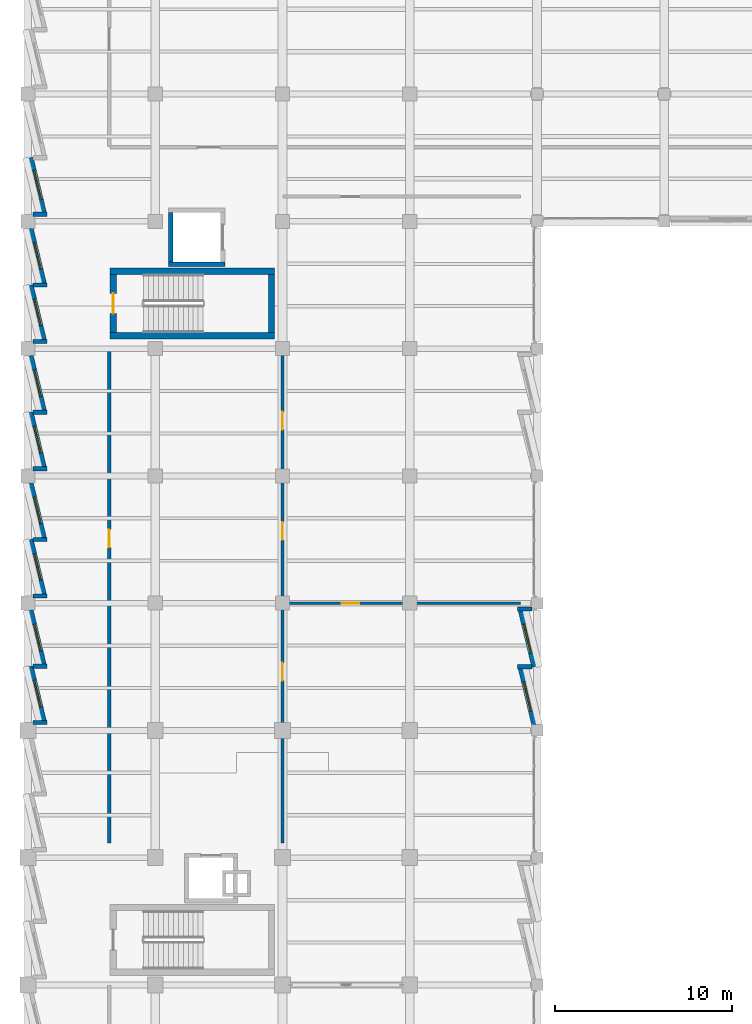
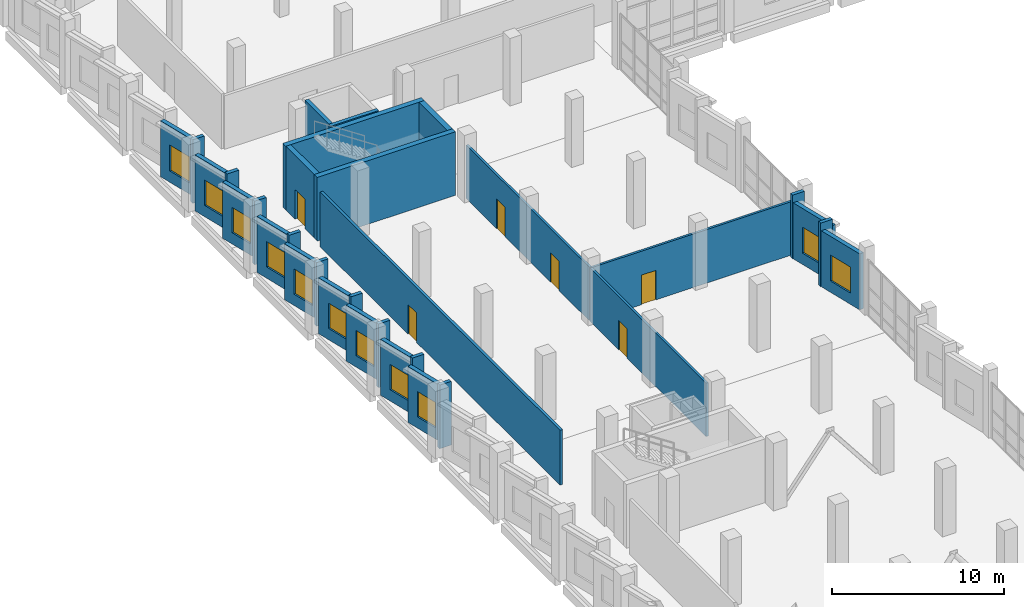
# One storey, part 96 of 127: 32 walls, 11 windows, 6 doors, 17 openings.
"""IFC4 building model written with IfcOpenShell, lengths in metres."""

from ifc_helpers import new_model, si_unit, direction, frame, frame_2d, origin, place, context, subcontext, project, spatial, rectangle, extrude, material, layer, layer_set, type_object, element, fill, save


model = new_model("IFC4")

# Units and contexts
model_context = context("Model", 3, precision=1e-05, world=origin(), true_north=direction((0.0, 1.0)))
body_context = subcontext(model_context, "Body", "Model", "MODEL_VIEW")
ifc_project = project(units=[si_unit("LENGTHUNIT", "METRE"), si_unit("AREAUNIT", "SQUARE_METRE"), si_unit("VOLUMEUNIT", "CUBIC_METRE"), si_unit("PLANEANGLEUNIT", "RADIAN"), si_unit("MASSUNIT", "GRAM", prefix="KILO")], contexts=[model_context])

# Site, building, storey
site_placement = place(None, origin())
site = spatial("IfcSite", under=ifc_project, at=site_placement, CompositionType="ELEMENT")
building_placement = place(site_placement, origin())
building = spatial("IfcBuilding", under=site, at=building_placement, Name="Kalmorath City Hall", CompositionType="ELEMENT")
storey_placement = place(building_placement, frame((0.0, 0.0, 5.39990234375)))
storey = spatial("IfcBuildingStorey", under=building, at=storey_placement, Name="L01", CompositionType="ELEMENT", Elevation=5.39990234375)

# Walls
ifc_material_1 = material(Name="Concrete C50/60", Category="concrete")
ifc_layer_1 = layer(ifc_material_1, 0.35009765625)
ifc_layer_set_1 = layer_set([ifc_layer_1], Name="Concrete C50/60")
wall_type_1 = type_object("IfcWallType", Name="Concrete core shear wall 350", PredefinedType="SHEAR", material=ifc_layer_set_1)
for number, where, z_axis, x_axis, name in (
    (1, (4.64990234375, 87.125, 0.0), (0.0, 0.0, 1.0), (1.0, 0.0, 0.0), "L01 C4 stair core shear wall S"),
    (2, (13.949951171875, 90.77490234375, 0.0), (0.0, 0.0, 1.0), (-1.0, 0.0, 0.0), "L01 C4 stair core shear wall N"),
):
    element("IfcWall", number, at=place(storey_placement, frame(where, z_axis=z_axis, x_axis=x_axis)), inside=storey, type_object=wall_type_1, Name=name, PredefinedType="SHEAR", context=body_context, shape_type="SweptSolid", body=[
        extrude(rectangle(XDim=9.300048828125, YDim=0.35009765625, at=frame_2d((4.64990234375, 0.0))), origin(), (0.0, 0.0, 1.0), 4.52001953125),
    ])

# Wall, opening, door
wall_1_placement = place(storey_placement, frame((4.824951171875, 90.60009765625, 0.0), z_axis=(0.0, 0.0, 1.0), x_axis=(0.0, -1.0, 0.0)))
wall_1 = element("IfcWall", 3, at=wall_1_placement, inside=storey, type_object=wall_type_1, Name="L01 C4 stair core shear wall W", PredefinedType="SHEAR", context=body_context, shape_type="SweptSolid", body=[
    extrude(rectangle(XDim=3.300048828125, YDim=0.35009765625, at=frame_2d((1.64990234375, 0.0))), origin(), (0.0, 0.0, 1.0), 4.52001953125),
])
opening_1_placement = place(wall_1_placement, frame((1.074951171875, 0.0, 0.0)))
opening_1 = element("IfcOpeningElement", 4, at=opening_1_placement, cuts=wall_1, Name="Opening D-L01-081", PredefinedType="OPENING", context=body_context, shape_type="SweptSolid", body=[
    extrude(rectangle(XDim=1.14990234375, YDim=2.10009765625, at=frame_2d((0.574951171875, 1.050048828125))), frame((0.0, 0.18505859375, 0.0), z_axis=(0.0, -1.0, 0.0), x_axis=(1.0, 0.0, 0.0)), (0.0, 0.0, 1.0), 0.3701171875),
])
ifc_material_2 = material(Name="Galvanised steel fire door", Category="steel")
door_type_1 = type_object("IfcDoorType", Name="Stair enclosure 90-min fire door 1150x2100", OperationType="NOTDEFINED", PredefinedType="DOOR", material=ifc_material_2)
door_1_placement = place(opening_1_placement, frame((1.14990234375, 0.0, 0.0), z_axis=(0.0, 0.0, 1.0), x_axis=(-1.0, 0.0, 0.0)))
door_1 = element("IfcDoor", 5, at=door_1_placement, inside=storey, type_object=door_type_1, Name="L01 door D-L01-081", OperationType="SINGLE_SWING_LEFT", OverallHeight=2.10009765625, OverallWidth=1.14990234375, PredefinedType="DOOR", context=body_context, shape_type="SweptSolid", body=[
    extrude(rectangle(XDim=1.14990234375, YDim=2.10009765625, at=frame_2d((0.574951171875, 1.050048828125))), frame((0.0, 0.02490234375, 0.0), z_axis=(0.0, -1.0, 0.0), x_axis=(1.0, 0.0, 0.0)), (0.0, 0.0, 1.0), 0.050048828125),
])
fill(opening_1, door_1)

# Walls
wall_2_placement = place(storey_placement, frame((13.77490234375, 87.300048828125, 0.0), z_axis=(0.0, 0.0, 1.0), x_axis=(0.0, 1.0, 0.0)))
element("IfcWall", 6, at=wall_2_placement, inside=storey, type_object=wall_type_1, Name="L01 C4 stair core shear wall E", PredefinedType="SHEAR", context=body_context, shape_type="SweptSolid", body=[
    extrude(rectangle(XDim=3.300048828125, YDim=0.35009765625, at=frame_2d((1.64990234375, 0.0))), origin(), (0.0, 0.0, 1.0), 4.52001953125),
])
ifc_material_3 = material(Name="Concrete C50/60", Category="concrete")
ifc_layer_2 = layer(ifc_material_3, 0.25)
ifc_layer_set_2 = layer_set([ifc_layer_2], Name="Concrete C50/60")
wall_type_2 = type_object("IfcWallType", Name="Concrete lift shaft wall 250", PredefinedType="SHEAR", material=ifc_layer_set_2)
wall_3_placement = place(storey_placement, frame((7.949951171875, 91.175048828125, 0.0), z_axis=(0.0, 0.0, 1.0), x_axis=(1.0, 0.0, 0.0)))
element("IfcWall", 7, at=wall_3_placement, inside=storey, type_object=wall_type_2, Name="L01 SL1 lift shaft wall -y", PredefinedType="SHEAR", context=body_context, shape_type="SweptSolid", body=[
    extrude(rectangle(XDim=3.199951171875, YDim=0.25, at=frame_2d((1.60009765625, 0.0))), origin(), (0.0, 0.0, 1.0), 4.52001953125),
])
wall_4_placement = place(storey_placement, frame((8.074951171875, 94.10009765625, 0.0), z_axis=(0.0, 0.0, 1.0), x_axis=(0.0, -1.0, 0.0)))
element("IfcWall", 8, at=wall_4_placement, inside=storey, type_object=wall_type_2, Name="L01 SL1 lift shaft wall -x", PredefinedType="SHEAR", context=body_context, shape_type="SweptSolid", body=[
    extrude(rectangle(XDim=2.800048828125, YDim=0.25, at=frame_2d((1.39990234375, 0.0))), origin(), (0.0, 0.0, 1.0), 4.52001953125),
])

# Wall, opening, door
ifc_material_4 = material(Name="Acoustic metal-stud gypsum partition")
ifc_layer_3 = layer(ifc_material_4, 0.14990234375)
ifc_layer_set_3 = layer_set([ifc_layer_3], Name="Acoustic metal-stud gypsum partition")
wall_type_3 = type_object("IfcWallType", Name="Departmental suite partition 150", PredefinedType="PARTITIONING", material=ifc_layer_set_3)
wall_5_placement = place(storey_placement, frame((14.39990234375, 58.43994140625, 0.0), z_axis=(0.0, 0.0, 1.0), x_axis=(0.0, 1.0, 0.0)))
wall_5 = element("IfcWall", 9, at=wall_5_placement, inside=storey, type_object=wall_type_3, Name="L01 interior partition PW4 #95", PredefinedType="PARTITIONING", context=body_context, shape_type="SweptSolid", body=[
    extrude(rectangle(XDim=13.52001953125, YDim=0.14990234375, at=frame_2d((6.760009765625, 0.0))), origin(), (0.0, 0.0, 1.0), 3.801025390625),
])
opening_2_placement = place(wall_5_placement, frame((9.179931640625, 0.0, 0.0)))
opening_2 = element("IfcOpeningElement", 10, at=opening_2_placement, cuts=wall_5, Name="Opening D-L01-174", PredefinedType="OPENING", context=body_context, shape_type="SweptSolid", body=[
    extrude(rectangle(XDim=1.0, YDim=2.10009765625, at=frame_2d((0.5, 1.050048828125))), frame((0.0, 0.0849609375, 0.0), z_axis=(0.0, -1.0, 0.0), x_axis=(1.0, 0.0, 0.0)), (0.0, 0.0, 1.0), 0.169921875),
])
ifc_material_5 = material(Name="Hardwood fire door", Category="wood")
door_type_2 = type_object("IfcDoorType", Name="Corridor 60-min fire door 1000x2100", OperationType="NOTDEFINED", PredefinedType="DOOR", material=ifc_material_5)
door_2_placement = place(opening_2_placement, origin())
door_2 = element("IfcDoor", 11, at=door_2_placement, inside=storey, type_object=door_type_2, Name="L01 door D-L01-174", OperationType="SINGLE_SWING_RIGHT", OverallHeight=2.10009765625, OverallWidth=1.0, PredefinedType="DOOR", context=body_context, shape_type="SweptSolid", body=[
    extrude(rectangle(XDim=1.0, YDim=2.10009765625, at=frame_2d((0.5, 1.050048828125))), frame((0.0, 0.02490234375, 0.0), z_axis=(0.0, -1.0, 0.0), x_axis=(1.0, 0.0, 0.0)), (0.0, 0.0, 1.0), 0.050048828125),
])
fill(opening_2, door_2)

wall_6_placement = place(storey_placement, frame((14.43994140625, 72.0, 0.0), z_axis=(0.0, 0.0, 1.0), x_axis=(1.0, 0.0, 0.0)))
wall_6 = element("IfcWall", 12, at=wall_6_placement, inside=storey, type_object=wall_type_3, Name="L01 interior partition PW4 #96", PredefinedType="PARTITIONING", context=body_context, shape_type="SweptSolid", body=[
    extrude(rectangle(XDim=13.420166015625, YDim=0.14990234375, at=frame_2d((6.7099609375, 0.0))), origin(), (0.0, 0.0, 1.0), 3.801025390625),
])
opening_3_placement = place(wall_6_placement, frame((3.31494140625, 0.0, 0.0)))
opening_3 = element("IfcOpeningElement", 13, at=opening_3_placement, cuts=wall_6, Name="Opening D-L01-175", PredefinedType="OPENING", context=body_context, shape_type="SweptSolid", body=[
    extrude(rectangle(XDim=1.0, YDim=2.10009765625, at=frame_2d((0.5, 1.050048828125))), frame((0.0, 0.0849609375, 0.0), z_axis=(0.0, -1.0, 0.0), x_axis=(1.0, 0.0, 0.0)), (0.0, 0.0, 1.0), 0.169921875),
])
door_3_placement = place(opening_3_placement, origin())
door_3 = element("IfcDoor", 14, at=door_3_placement, inside=storey, type_object=door_type_2, Name="L01 door D-L01-175", OperationType="SINGLE_SWING_LEFT", OverallHeight=2.10009765625, OverallWidth=1.0, PredefinedType="DOOR", context=body_context, shape_type="SweptSolid", body=[
    extrude(rectangle(XDim=1.0, YDim=2.10009765625, at=frame_2d((0.5, 1.050048828125))), frame((0.0, 0.02490234375, 0.0), z_axis=(0.0, -1.0, 0.0), x_axis=(1.0, 0.0, 0.0)), (0.0, 0.0, 1.0), 0.050048828125),
])
fill(opening_3, door_3)

# Wall, openings, doors
wall_7_placement = place(storey_placement, frame((14.39990234375, 72.0400390625, 0.0), z_axis=(0.0, 0.0, 1.0), x_axis=(0.0, 1.0, 0.0)))
wall_7 = element("IfcWall", 15, at=wall_7_placement, inside=storey, type_object=wall_type_3, Name="L01 interior partition PW4 #97", PredefinedType="PARTITIONING", context=body_context, shape_type="SweptSolid", body=[
    extrude(rectangle(XDim=14.320068359375, YDim=0.14990234375, at=frame_2d((7.16015625, 0.0))), origin(), (0.0, 0.0, 1.0), 3.801025390625),
])
opening_4_placement = place(wall_7_placement, frame((3.5400390625, 0.0, 0.0)))
opening_4 = element("IfcOpeningElement", 16, at=opening_4_placement, cuts=wall_7, Name="Opening D-L01-177", PredefinedType="OPENING", context=body_context, shape_type="SweptSolid", body=[
    extrude(rectangle(XDim=1.0, YDim=2.10009765625, at=frame_2d((0.5, 1.050048828125))), frame((0.0, 0.0849609375, 0.0), z_axis=(0.0, -1.0, 0.0), x_axis=(1.0, 0.0, 0.0)), (0.0, 0.0, 1.0), 0.169921875),
])
opening_5_placement = place(wall_7_placement, frame((9.780029296875, 0.0, 0.0)))
opening_5 = element("IfcOpeningElement", 17, at=opening_5_placement, cuts=wall_7, Name="Opening D-L01-179", PredefinedType="OPENING", context=body_context, shape_type="SweptSolid", body=[
    extrude(rectangle(XDim=1.0, YDim=2.10009765625, at=frame_2d((0.5, 1.050048828125))), frame((0.0, 0.0849609375, 0.0), z_axis=(0.0, -1.0, 0.0), x_axis=(1.0, 0.0, 0.0)), (0.0, 0.0, 1.0), 0.169921875),
])
door_4_placement = place(opening_4_placement, origin())
door_4 = element("IfcDoor", 18, at=door_4_placement, inside=storey, type_object=door_type_2, Name="L01 door D-L01-177", OperationType="SINGLE_SWING_LEFT", OverallHeight=2.10009765625, OverallWidth=1.0, PredefinedType="DOOR", context=body_context, shape_type="SweptSolid", body=[
    extrude(rectangle(XDim=1.0, YDim=2.10009765625, at=frame_2d((0.5, 1.050048828125))), frame((0.0, 0.02490234375, 0.0), z_axis=(0.0, -1.0, 0.0), x_axis=(1.0, 0.0, 0.0)), (0.0, 0.0, 1.0), 0.050048828125),
])
fill(opening_4, door_4)
door_5_placement = place(opening_5_placement, origin())
door_5 = element("IfcDoor", 19, at=door_5_placement, inside=storey, type_object=door_type_2, Name="L01 door D-L01-179", OperationType="SINGLE_SWING_LEFT", OverallHeight=2.10009765625, OverallWidth=1.0, PredefinedType="DOOR", context=body_context, shape_type="SweptSolid", body=[
    extrude(rectangle(XDim=1.0, YDim=2.10009765625, at=frame_2d((0.5, 1.050048828125))), frame((0.0, 0.02490234375, 0.0), z_axis=(0.0, -1.0, 0.0), x_axis=(1.0, 0.0, 0.0)), (0.0, 0.0, 1.0), 0.050048828125),
])
fill(opening_5, door_5)

# Wall, opening, door
ifc_material_6 = material(Name="Fire-rated acoustic gypsum partition")
ifc_layer_4 = layer(ifc_material_6, 0.179931640625)
ifc_layer_set_4 = layer_set([ifc_layer_4], Name="Fire-rated acoustic gypsum partition")
wall_type_4 = type_object("IfcWallType", Name="One-hour corridor fire partition 180", PredefinedType="PARTITIONING", material=ifc_layer_set_4)
wall_8_placement = place(storey_placement, frame((4.60009765625, 58.43994140625, 0.0), z_axis=(0.0, 0.0, 1.0), x_axis=(0.0, 1.0, 0.0)))
wall_8 = element("IfcWall", 20, at=wall_8_placement, inside=storey, type_object=wall_type_4, Name="L01 interior partition PW2 #69", PredefinedType="PARTITIONING", context=body_context, shape_type="SweptSolid", body=[
    extrude(rectangle(XDim=27.920166015625, YDim=0.179931640625, at=frame_2d((13.9599609375, 0.0))), origin(), (0.0, 0.0, 1.0), 3.88916015625),
])
opening_6_placement = place(wall_8_placement, frame((16.719970703125, 0.0, 0.0)))
opening_6 = element("IfcOpeningElement", 21, at=opening_6_placement, cuts=wall_8, Name="Opening D-L01-176", PredefinedType="OPENING", context=body_context, shape_type="SweptSolid", body=[
    extrude(rectangle(XDim=1.0, YDim=2.10009765625, at=frame_2d((0.5, 1.050048828125))), frame((0.0, 0.099853515625, 0.0), z_axis=(0.0, -1.0, 0.0), x_axis=(1.0, 0.0, 0.0)), (0.0, 0.0, 1.0), 0.199951171875),
])
door_6_placement = place(opening_6_placement, origin())
door_6 = element("IfcDoor", 22, at=door_6_placement, inside=storey, type_object=door_type_2, Name="L01 door D-L01-176", OperationType="SINGLE_SWING_RIGHT", OverallHeight=2.10009765625, OverallWidth=1.0, PredefinedType="DOOR", context=body_context, shape_type="SweptSolid", body=[
    extrude(rectangle(XDim=1.0, YDim=2.10009765625, at=frame_2d((0.5, 1.050048828125))), frame((0.0, 0.02490234375, 0.0), z_axis=(0.0, -1.0, 0.0), x_axis=(1.0, 0.0, 0.0)), (0.0, 0.0, 1.0), 0.050048828125),
])
fill(opening_6, door_6)

# Walls
ifc_material_7 = material(Name="Precast concrete C40/50", Category="concrete")
ifc_layer_5 = layer(ifc_material_7, 0.239990234375)
ifc_layer_set_5 = layer_set([ifc_layer_5], Name="Precast concrete C40/50")
wall_type_5 = type_object("IfcWallType", Name="Precast sawtooth cheek wall 240", PredefinedType="SOLIDWALL", material=ifc_layer_set_5)
for number, where, z_axis, x_axis, name in (
    (23, (1.06689453125, 65.2509765625, 0.0), (0.0, 0.0, 1.0), (-1.0, 0.0, 0.0), "L01 sawtooth return cheek #203"),
    (24, (1.06689453125, 68.425048828125, 0.0), (0.0, 0.0, 1.0), (-1.0, 0.0, 0.0), "L01 sawtooth return cheek #205"),
):
    element("IfcWall", number, at=place(storey_placement, frame(where, z_axis=z_axis, x_axis=x_axis)), inside=storey, type_object=wall_type_5, Name=name, PredefinedType="SOLIDWALL", context=body_context, shape_type="SweptSolid", body=[
        extrude(rectangle(XDim=0.77490234375, YDim=0.239990234375, at=frame_2d((0.387451171875, 0.0))), origin(), (0.0, 0.0, 1.0), 4.52001953125),
    ])
for number, where, z_axis, x_axis, name in (
    (25, (1.072998046875, 72.40087890625, 0.0), (0.0, 0.0, 1.0), (-1.0, 0.0, 0.0), "L01 sawtooth return cheek #207"),
    (26, (1.072998046875, 75.60009765625, 0.0), (0.0, 0.0, 1.0), (-1.0, 0.0, 0.0), "L01 sawtooth return cheek #209"),
    (27, (1.072998046875, 79.60107421875, 0.0), (0.0, 0.0, 1.0), (-1.0, 0.0, 0.0), "L01 sawtooth return cheek #211"),
    (28, (1.072998046875, 82.800048828125, 0.0), (0.0, 0.0, 1.0), (-1.0, 0.0, 0.0), "L01 sawtooth return cheek #213"),
    (29, (1.072998046875, 86.801025390625, 0.0), (0.0, 0.0, 1.0), (-1.0, 0.0, 0.0), "L01 sawtooth return cheek #215"),
    (30, (1.072998046875, 90.0, 0.0), (0.0, 0.0, 1.0), (-1.0, 0.0, 0.0), "L01 sawtooth return cheek #217"),
    (31, (1.072998046875, 94.0009765625, 0.0), (0.0, 0.0, 1.0), (-1.0, 0.0, 0.0), "L01 sawtooth return cheek #219"),
):
    element("IfcWall", number, at=place(storey_placement, frame(where, z_axis=z_axis, x_axis=x_axis)), inside=storey, type_object=wall_type_5, Name=name, PredefinedType="SOLIDWALL", context=body_context, shape_type="SweptSolid", body=[
        extrude(rectangle(XDim=0.781005859375, YDim=0.239990234375, at=frame_2d((0.390625, 0.0))), origin(), (0.0, 0.0, 1.0), 4.52001953125),
    ])
for number, where, z_axis, x_axis, name in (
    (32, (27.708984375, 71.674072265625, 0.0), (0.0, 0.0, 1.0), (1.0, 0.0, 0.0), "L01 sawtooth return cheek #334"),
    (33, (27.708984375, 68.39990234375, 0.0), (0.0, 0.0, 1.0), (1.0, 0.0, 0.0), "L01 sawtooth return cheek #336"),
):
    element("IfcWall", number, at=place(storey_placement, frame(where, z_axis=z_axis, x_axis=x_axis)), inside=storey, type_object=wall_type_5, Name=name, PredefinedType="SOLIDWALL", context=body_context, shape_type="SweptSolid", body=[
        extrude(rectangle(XDim=0.799072265625, YDim=0.239990234375, at=frame_2d((0.3994140625, 0.0))), origin(), (0.0, 0.0, 1.0), 4.52001953125),
    ])

# Wall, opening, window
ifc_material_8 = material(Name="Precast concrete C40/50", Category="concrete")
ifc_layer_6 = layer(ifc_material_8, 0.280029296875)
ifc_layer_set_6 = layer_set([ifc_layer_6], Name="Precast concrete C40/50")
wall_type_6 = type_object("IfcWallType", Name="Precast sawtooth facade wall 280", PredefinedType="SOLIDWALL", material=ifc_layer_set_6)
wall_9_placement = place(storey_placement, frame((0.89990234375, 65.343505859375, 0.0), z_axis=(0.0, 0.0, 1.0), x_axis=(-0.233498237153, 0.972357225122, 0.0)))
wall_9 = element("IfcWall", 34, at=wall_9_placement, inside=storey, type_object=wall_type_6, Name="L01 sawtooth precast frame #202", PredefinedType="SOLIDWALL", context=body_context, shape_type="SweptSolid", body=[
    extrude(rectangle(XDim=3.169189453125, YDim=0.280029296875, at=frame_2d((1.58447265625, 0.0))), origin(), (0.0, 0.0, 1.0), 3.97607421875),
])
opening_7_placement = place(wall_9_placement, frame((0.8095703125, 0.0, 0.800048828125)))
opening_7 = element("IfcOpeningElement", 35, at=opening_7_placement, cuts=wall_9, Name="Opening WN5", PredefinedType="OPENING", context=body_context, shape_type="SweptSolid", body=[
    extrude(rectangle(XDim=1.550048828125, YDim=1.800048828125, at=frame_2d((0.77490234375, 0.89990234375))), frame((0.0, 0.14990234375, 0.0), z_axis=(0.0, -1.0, 0.0), x_axis=(1.0, 0.0, 0.0)), (0.0, 0.0, 1.0), 0.300048828125),
])
ifc_material_9 = material(Name="Aluminium and laminated glass", Category="aluminium")
window_type_1 = type_object("IfcWindowType", Name="Sawtooth corner bay window 1550x1800", PartitioningType="SINGLE_PANEL", PredefinedType="WINDOW", material=ifc_material_9)
window_1_placement = place(opening_7_placement, origin())
window_1 = element("IfcWindow", 36, at=window_1_placement, inside=storey, type_object=window_type_1, Name="L01 window WN5-94", OverallHeight=1.800048828125, OverallWidth=1.550048828125, PartitioningType="SINGLE_PANEL", PredefinedType="WINDOW", context=body_context, shape_type="SweptSolid", body=[
    extrude(rectangle(XDim=1.550048828125, YDim=1.800048828125, at=frame_2d((0.77490234375, 0.89990234375))), frame((0.0, 0.030029296875, 0.0), z_axis=(0.0, -1.0, 0.0), x_axis=(1.0, 0.0, 0.0)), (0.0, 0.0, 1.0), 0.06005859375),
])
fill(opening_7, window_1)

wall_10_placement = place(storey_placement, frame((0.89990234375, 68.517333984375, 0.0), z_axis=(0.0, 0.0, 1.0), x_axis=(-0.233480747728, 0.972361424801, 0.0)))
wall_10 = element("IfcWall", 37, at=wall_10_placement, inside=storey, type_object=wall_type_6, Name="L01 sawtooth precast frame #204", PredefinedType="SOLIDWALL", context=body_context, shape_type="SweptSolid", body=[
    extrude(rectangle(XDim=3.16943359375, YDim=0.280029296875, at=frame_2d((1.584716796875, 0.0))), origin(), (0.0, 0.0, 1.0), 3.97607421875),
])
opening_8_placement = place(wall_10_placement, frame((0.8095703125, 0.0, 0.800048828125)))
opening_8 = element("IfcOpeningElement", 38, at=opening_8_placement, cuts=wall_10, Name="Opening WN5", PredefinedType="OPENING", context=body_context, shape_type="SweptSolid", body=[
    extrude(rectangle(XDim=1.550048828125, YDim=1.800048828125, at=frame_2d((0.77490234375, 0.89990234375))), frame((0.0, 0.14990234375, 0.0), z_axis=(0.0, -1.0, 0.0), x_axis=(1.0, 0.0, 0.0)), (0.0, 0.0, 1.0), 0.300048828125),
])
window_2_placement = place(opening_8_placement, origin())
window_2 = element("IfcWindow", 39, at=window_2_placement, inside=storey, type_object=window_type_1, Name="L01 window WN5-95", OverallHeight=1.800048828125, OverallWidth=1.550048828125, PartitioningType="SINGLE_PANEL", PredefinedType="WINDOW", context=body_context, shape_type="SweptSolid", body=[
    extrude(rectangle(XDim=1.550048828125, YDim=1.800048828125, at=frame_2d((0.77490234375, 0.89990234375))), frame((0.0, 0.030029296875, 0.0), z_axis=(0.0, -1.0, 0.0), x_axis=(1.0, 0.0, 0.0)), (0.0, 0.0, 1.0), 0.06005859375),
])
fill(opening_8, window_2)

wall_11_placement = place(storey_placement, frame((0.90576171875, 72.493408203125, 0.0), z_axis=(0.0, 0.0, 1.0), x_axis=(-0.233445204235, 0.972369958719, 0.0)))
wall_11 = element("IfcWall", 40, at=wall_11_placement, inside=storey, type_object=wall_type_6, Name="L01 sawtooth precast frame #206", PredefinedType="SOLIDWALL", context=body_context, shape_type="SweptSolid", body=[
    extrude(rectangle(XDim=3.195068359375, YDim=0.280029296875, at=frame_2d((1.59765625, 0.0))), origin(), (0.0, 0.0, 1.0), 3.97607421875),
])
opening_9_placement = place(wall_11_placement, frame((0.822509765625, 0.0, 0.800048828125)))
opening_9 = element("IfcOpeningElement", 41, at=opening_9_placement, cuts=wall_11, Name="Opening WN5", PredefinedType="OPENING", context=body_context, shape_type="SweptSolid", body=[
    extrude(rectangle(XDim=1.550048828125, YDim=1.800048828125, at=frame_2d((0.77490234375, 0.89990234375))), frame((0.0, 0.14990234375, 0.0), z_axis=(0.0, -1.0, 0.0), x_axis=(1.0, 0.0, 0.0)), (0.0, 0.0, 1.0), 0.300048828125),
])
window_3_placement = place(opening_9_placement, origin())
window_3 = element("IfcWindow", 42, at=window_3_placement, inside=storey, type_object=window_type_1, Name="L01 window WN5-96", OverallHeight=1.800048828125, OverallWidth=1.550048828125, PartitioningType="SINGLE_PANEL", PredefinedType="WINDOW", context=body_context, shape_type="SweptSolid", body=[
    extrude(rectangle(XDim=1.550048828125, YDim=1.800048828125, at=frame_2d((0.77490234375, 0.89990234375))), frame((0.0, 0.030029296875, 0.0), z_axis=(0.0, -1.0, 0.0), x_axis=(1.0, 0.0, 0.0)), (0.0, 0.0, 1.0), 0.06005859375),
])
fill(opening_9, window_3)

wall_12_placement = place(storey_placement, frame((0.90576171875, 75.6923828125, 0.0), z_axis=(0.0, 0.0, 1.0), x_axis=(-0.233445204235, 0.972369958719, 0.0)))
wall_12 = element("IfcWall", 43, at=wall_12_placement, inside=storey, type_object=wall_type_6, Name="L01 sawtooth precast frame #208", PredefinedType="SOLIDWALL", context=body_context, shape_type="SweptSolid", body=[
    extrude(rectangle(XDim=3.195068359375, YDim=0.280029296875, at=frame_2d((1.59765625, 0.0))), origin(), (0.0, 0.0, 1.0), 3.97607421875),
])
opening_10_placement = place(wall_12_placement, frame((0.822509765625, 0.0, 0.800048828125)))
opening_10 = element("IfcOpeningElement", 44, at=opening_10_placement, cuts=wall_12, Name="Opening WN5", PredefinedType="OPENING", context=body_context, shape_type="SweptSolid", body=[
    extrude(rectangle(XDim=1.550048828125, YDim=1.800048828125, at=frame_2d((0.77490234375, 0.89990234375))), frame((0.0, 0.14990234375, 0.0), z_axis=(0.0, -1.0, 0.0), x_axis=(1.0, 0.0, 0.0)), (0.0, 0.0, 1.0), 0.300048828125),
])
window_4_placement = place(opening_10_placement, origin())
window_4 = element("IfcWindow", 45, at=window_4_placement, inside=storey, type_object=window_type_1, Name="L01 window WN5-97", OverallHeight=1.800048828125, OverallWidth=1.550048828125, PartitioningType="SINGLE_PANEL", PredefinedType="WINDOW", context=body_context, shape_type="SweptSolid", body=[
    extrude(rectangle(XDim=1.550048828125, YDim=1.800048828125, at=frame_2d((0.77490234375, 0.89990234375))), frame((0.0, 0.030029296875, 0.0), z_axis=(0.0, -1.0, 0.0), x_axis=(1.0, 0.0, 0.0)), (0.0, 0.0, 1.0), 0.06005859375),
])
fill(opening_10, window_4)

wall_13_placement = place(storey_placement, frame((0.90576171875, 79.693359375, 0.0), z_axis=(0.0, 0.0, 1.0), x_axis=(-0.233445204235, 0.972369958719, 0.0)))
wall_13 = element("IfcWall", 46, at=wall_13_placement, inside=storey, type_object=wall_type_6, Name="L01 sawtooth precast frame #210", PredefinedType="SOLIDWALL", context=body_context, shape_type="SweptSolid", body=[
    extrude(rectangle(XDim=3.195068359375, YDim=0.280029296875, at=frame_2d((1.59765625, 0.0))), origin(), (0.0, 0.0, 1.0), 3.97607421875),
])
opening_11_placement = place(wall_13_placement, frame((0.822509765625, 0.0, 0.800048828125)))
opening_11 = element("IfcOpeningElement", 47, at=opening_11_placement, cuts=wall_13, Name="Opening WN5", PredefinedType="OPENING", context=body_context, shape_type="SweptSolid", body=[
    extrude(rectangle(XDim=1.550048828125, YDim=1.800048828125, at=frame_2d((0.77490234375, 0.89990234375))), frame((0.0, 0.14990234375, 0.0), z_axis=(0.0, -1.0, 0.0), x_axis=(1.0, 0.0, 0.0)), (0.0, 0.0, 1.0), 0.300048828125),
])
window_5_placement = place(opening_11_placement, origin())
window_5 = element("IfcWindow", 48, at=window_5_placement, inside=storey, type_object=window_type_1, Name="L01 window WN5-98", OverallHeight=1.800048828125, OverallWidth=1.550048828125, PartitioningType="SINGLE_PANEL", PredefinedType="WINDOW", context=body_context, shape_type="SweptSolid", body=[
    extrude(rectangle(XDim=1.550048828125, YDim=1.800048828125, at=frame_2d((0.77490234375, 0.89990234375))), frame((0.0, 0.030029296875, 0.0), z_axis=(0.0, -1.0, 0.0), x_axis=(1.0, 0.0, 0.0)), (0.0, 0.0, 1.0), 0.06005859375),
])
fill(opening_11, window_5)

wall_14_placement = place(storey_placement, frame((0.90576171875, 82.892333984375, 0.0), z_axis=(0.0, 0.0, 1.0), x_axis=(-0.233445204235, 0.972369958719, 0.0)))
wall_14 = element("IfcWall", 49, at=wall_14_placement, inside=storey, type_object=wall_type_6, Name="L01 sawtooth precast frame #212", PredefinedType="SOLIDWALL", context=body_context, shape_type="SweptSolid", body=[
    extrude(rectangle(XDim=3.195068359375, YDim=0.280029296875, at=frame_2d((1.59765625, 0.0))), origin(), (0.0, 0.0, 1.0), 3.97607421875),
])
opening_12_placement = place(wall_14_placement, frame((0.822509765625, 0.0, 0.800048828125)))
opening_12 = element("IfcOpeningElement", 50, at=opening_12_placement, cuts=wall_14, Name="Opening WN5", PredefinedType="OPENING", context=body_context, shape_type="SweptSolid", body=[
    extrude(rectangle(XDim=1.550048828125, YDim=1.800048828125, at=frame_2d((0.77490234375, 0.89990234375))), frame((0.0, 0.14990234375, 0.0), z_axis=(0.0, -1.0, 0.0), x_axis=(1.0, 0.0, 0.0)), (0.0, 0.0, 1.0), 0.300048828125),
])
window_6_placement = place(opening_12_placement, origin())
window_6 = element("IfcWindow", 51, at=window_6_placement, inside=storey, type_object=window_type_1, Name="L01 window WN5-99", OverallHeight=1.800048828125, OverallWidth=1.550048828125, PartitioningType="SINGLE_PANEL", PredefinedType="WINDOW", context=body_context, shape_type="SweptSolid", body=[
    extrude(rectangle(XDim=1.550048828125, YDim=1.800048828125, at=frame_2d((0.77490234375, 0.89990234375))), frame((0.0, 0.030029296875, 0.0), z_axis=(0.0, -1.0, 0.0), x_axis=(1.0, 0.0, 0.0)), (0.0, 0.0, 1.0), 0.06005859375),
])
fill(opening_12, window_6)

wall_15_placement = place(storey_placement, frame((0.90576171875, 86.893310546875, 0.0), z_axis=(0.0, 0.0, 1.0), x_axis=(-0.233445204235, 0.972369958719, 0.0)))
wall_15 = element("IfcWall", 52, at=wall_15_placement, inside=storey, type_object=wall_type_6, Name="L01 sawtooth precast frame #214", PredefinedType="SOLIDWALL", context=body_context, shape_type="SweptSolid", body=[
    extrude(rectangle(XDim=3.195068359375, YDim=0.280029296875, at=frame_2d((1.59765625, 0.0))), origin(), (0.0, 0.0, 1.0), 3.97607421875),
])
opening_13_placement = place(wall_15_placement, frame((0.822509765625, 0.0, 0.800048828125)))
opening_13 = element("IfcOpeningElement", 53, at=opening_13_placement, cuts=wall_15, Name="Opening WN5", PredefinedType="OPENING", context=body_context, shape_type="SweptSolid", body=[
    extrude(rectangle(XDim=1.550048828125, YDim=1.800048828125, at=frame_2d((0.77490234375, 0.89990234375))), frame((0.0, 0.14990234375, 0.0), z_axis=(0.0, -1.0, 0.0), x_axis=(1.0, 0.0, 0.0)), (0.0, 0.0, 1.0), 0.300048828125),
])
window_7_placement = place(opening_13_placement, origin())
window_7 = element("IfcWindow", 54, at=window_7_placement, inside=storey, type_object=window_type_1, Name="L01 window WN5-100", OverallHeight=1.800048828125, OverallWidth=1.550048828125, PartitioningType="SINGLE_PANEL", PredefinedType="WINDOW", context=body_context, shape_type="SweptSolid", body=[
    extrude(rectangle(XDim=1.550048828125, YDim=1.800048828125, at=frame_2d((0.77490234375, 0.89990234375))), frame((0.0, 0.030029296875, 0.0), z_axis=(0.0, -1.0, 0.0), x_axis=(1.0, 0.0, 0.0)), (0.0, 0.0, 1.0), 0.06005859375),
])
fill(opening_13, window_7)

wall_16_placement = place(storey_placement, frame((0.90576171875, 90.09228515625, 0.0), z_axis=(0.0, 0.0, 1.0), x_axis=(-0.233445204235, 0.972369958719, 0.0)))
wall_16 = element("IfcWall", 55, at=wall_16_placement, inside=storey, type_object=wall_type_6, Name="L01 sawtooth precast frame #216", PredefinedType="SOLIDWALL", context=body_context, shape_type="SweptSolid", body=[
    extrude(rectangle(XDim=3.195068359375, YDim=0.280029296875, at=frame_2d((1.59765625, 0.0))), origin(), (0.0, 0.0, 1.0), 3.97607421875),
])
opening_14_placement = place(wall_16_placement, frame((0.822509765625, 0.0, 0.800048828125)))
opening_14 = element("IfcOpeningElement", 56, at=opening_14_placement, cuts=wall_16, Name="Opening WN5", PredefinedType="OPENING", context=body_context, shape_type="SweptSolid", body=[
    extrude(rectangle(XDim=1.550048828125, YDim=1.800048828125, at=frame_2d((0.77490234375, 0.89990234375))), frame((0.0, 0.14990234375, 0.0), z_axis=(0.0, -1.0, 0.0), x_axis=(1.0, 0.0, 0.0)), (0.0, 0.0, 1.0), 0.300048828125),
])
window_8_placement = place(opening_14_placement, origin())
window_8 = element("IfcWindow", 57, at=window_8_placement, inside=storey, type_object=window_type_1, Name="L01 window WN5-101", OverallHeight=1.800048828125, OverallWidth=1.550048828125, PartitioningType="SINGLE_PANEL", PredefinedType="WINDOW", context=body_context, shape_type="SweptSolid", body=[
    extrude(rectangle(XDim=1.550048828125, YDim=1.800048828125, at=frame_2d((0.77490234375, 0.89990234375))), frame((0.0, 0.030029296875, 0.0), z_axis=(0.0, -1.0, 0.0), x_axis=(1.0, 0.0, 0.0)), (0.0, 0.0, 1.0), 0.06005859375),
])
fill(opening_14, window_8)

wall_17_placement = place(storey_placement, frame((0.90576171875, 94.093505859375, 0.0), z_axis=(0.0, 0.0, 1.0), x_axis=(-0.233462551123, 0.972365793939, 0.0)))
wall_17 = element("IfcWall", 58, at=wall_17_placement, inside=storey, type_object=wall_type_6, Name="L01 sawtooth precast frame #218", PredefinedType="SOLIDWALL", context=body_context, shape_type="SweptSolid", body=[
    extrude(rectangle(XDim=3.19482421875, YDim=0.280029296875, at=frame_2d((1.597412109375, 0.0))), origin(), (0.0, 0.0, 1.0), 3.97607421875),
])
opening_15_placement = place(wall_17_placement, frame((0.747314453125, 0.0, 0.800048828125)))
opening_15 = element("IfcOpeningElement", 59, at=opening_15_placement, cuts=wall_17, Name="Opening WN6", PredefinedType="OPENING", context=body_context, shape_type="SweptSolid", body=[
    extrude(rectangle(XDim=1.699951171875, YDim=1.85009765625, at=frame_2d((0.85009765625, 0.925048828125))), frame((0.0, 0.14990234375, 0.0), z_axis=(0.0, -1.0, 0.0), x_axis=(1.0, 0.0, 0.0)), (0.0, 0.0, 1.0), 0.300048828125),
])
ifc_material_10 = material(Name="Aluminium and laminated glass", Category="aluminium")
window_type_2 = type_object("IfcWindowType", Name="Sawtooth west wing window 1700x1850", PartitioningType="SINGLE_PANEL", PredefinedType="WINDOW", material=ifc_material_10)
window_9_placement = place(opening_15_placement, origin())
window_9 = element("IfcWindow", 60, at=window_9_placement, inside=storey, type_object=window_type_2, Name="L01 window WN6-102", OverallHeight=1.85009765625, OverallWidth=1.699951171875, PartitioningType="SINGLE_PANEL", PredefinedType="WINDOW", context=body_context, shape_type="SweptSolid", body=[
    extrude(rectangle(XDim=1.699951171875, YDim=1.85009765625, at=frame_2d((0.85009765625, 0.925048828125))), frame((0.0, 0.030029296875, 0.0), z_axis=(0.0, -1.0, 0.0), x_axis=(1.0, 0.0, 0.0)), (0.0, 0.0, 1.0), 0.06005859375),
])
fill(opening_15, window_9)

wall_18_placement = place(storey_placement, frame((27.876220703125, 71.58154296875, 0.0), z_axis=(0.0, 0.0, 1.0), x_axis=(0.233395528793, -0.972381883387, 0.0)))
wall_18 = element("IfcWall", 61, at=wall_18_placement, inside=storey, type_object=wall_type_6, Name="L01 sawtooth precast frame #333", PredefinedType="SOLIDWALL", context=body_context, shape_type="SweptSolid", body=[
    extrude(rectangle(XDim=3.27197265625, YDim=0.280029296875, at=frame_2d((1.635986328125, 0.0))), origin(), (0.0, 0.0, 1.0), 3.97607421875),
])
opening_16_placement = place(wall_18_placement, frame((0.785888671875, 0.0, 0.800048828125)))
opening_16 = element("IfcOpeningElement", 62, at=opening_16_placement, cuts=wall_18, Name="Opening WN6", PredefinedType="OPENING", context=body_context, shape_type="SweptSolid", body=[
    extrude(rectangle(XDim=1.699951171875, YDim=1.85009765625, at=frame_2d((0.85009765625, 0.925048828125))), frame((0.0, 0.14990234375, 0.0), z_axis=(0.0, -1.0, 0.0), x_axis=(1.0, 0.0, 0.0)), (0.0, 0.0, 1.0), 0.300048828125),
])
window_10_placement = place(opening_16_placement, origin())
window_10 = element("IfcWindow", 63, at=window_10_placement, inside=storey, type_object=window_type_2, Name="L01 window WN6-162", OverallHeight=1.85009765625, OverallWidth=1.699951171875, PartitioningType="SINGLE_PANEL", PredefinedType="WINDOW", context=body_context, shape_type="SweptSolid", body=[
    extrude(rectangle(XDim=1.699951171875, YDim=1.85009765625, at=frame_2d((0.85009765625, 0.925048828125))), frame((0.0, 0.030029296875, 0.0), z_axis=(0.0, -1.0, 0.0), x_axis=(1.0, 0.0, 0.0)), (0.0, 0.0, 1.0), 0.06005859375),
])
fill(opening_16, window_10)

wall_19_placement = place(storey_placement, frame((27.876220703125, 68.3076171875, 0.0), z_axis=(0.0, 0.0, 1.0), x_axis=(0.233395528793, -0.972381883387, 0.0)))
wall_19 = element("IfcWall", 64, at=wall_19_placement, inside=storey, type_object=wall_type_6, Name="L01 sawtooth precast frame #335", PredefinedType="SOLIDWALL", context=body_context, shape_type="SweptSolid", body=[
    extrude(rectangle(XDim=3.27197265625, YDim=0.280029296875, at=frame_2d((1.635986328125, 0.0))), origin(), (0.0, 0.0, 1.0), 3.97607421875),
])
opening_17_placement = place(wall_19_placement, frame((0.785888671875, 0.0, 0.800048828125)))
opening_17 = element("IfcOpeningElement", 65, at=opening_17_placement, cuts=wall_19, Name="Opening WN6", PredefinedType="OPENING", context=body_context, shape_type="SweptSolid", body=[
    extrude(rectangle(XDim=1.699951171875, YDim=1.85009765625, at=frame_2d((0.85009765625, 0.925048828125))), frame((0.0, 0.14990234375, 0.0), z_axis=(0.0, -1.0, 0.0), x_axis=(1.0, 0.0, 0.0)), (0.0, 0.0, 1.0), 0.300048828125),
])
window_11_placement = place(opening_17_placement, origin())
window_11 = element("IfcWindow", 66, at=window_11_placement, inside=storey, type_object=window_type_2, Name="L01 window WN6-163", OverallHeight=1.85009765625, OverallWidth=1.699951171875, PartitioningType="SINGLE_PANEL", PredefinedType="WINDOW", context=body_context, shape_type="SweptSolid", body=[
    extrude(rectangle(XDim=1.699951171875, YDim=1.85009765625, at=frame_2d((0.85009765625, 0.925048828125))), frame((0.0, 0.030029296875, 0.0), z_axis=(0.0, -1.0, 0.0), x_axis=(1.0, 0.0, 0.0)), (0.0, 0.0, 1.0), 0.06005859375),
])
fill(opening_17, window_11)

save(model, "model.ifc")
